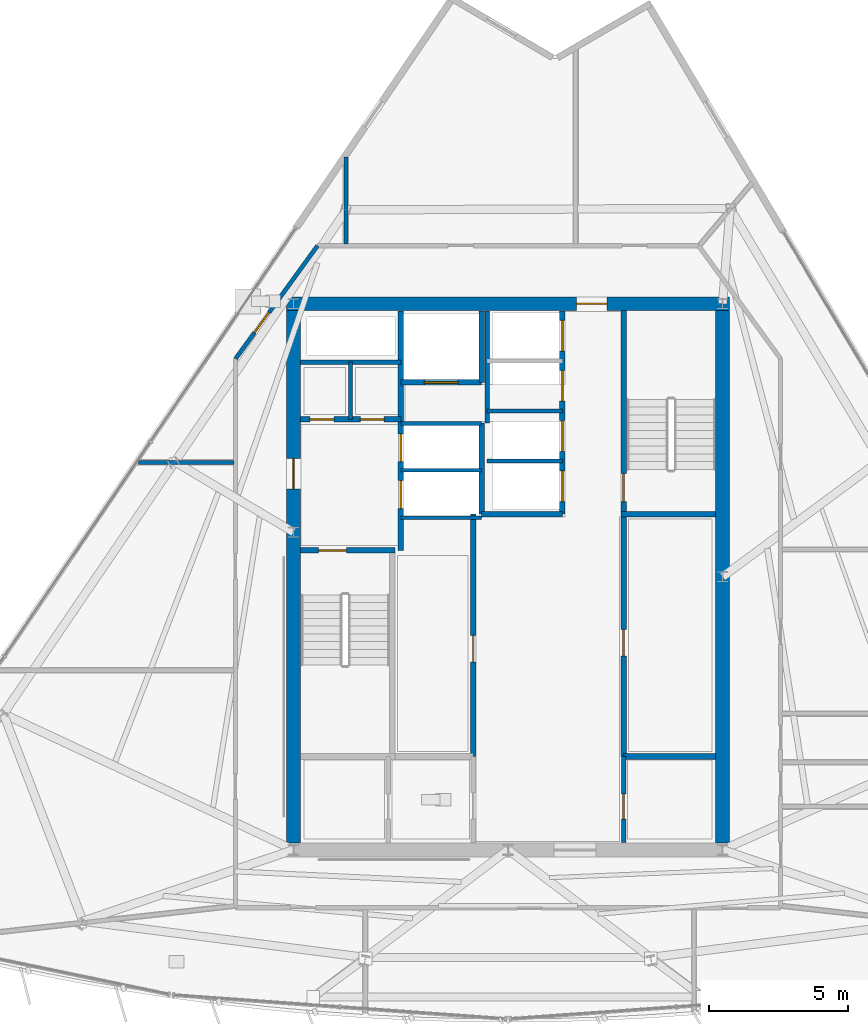
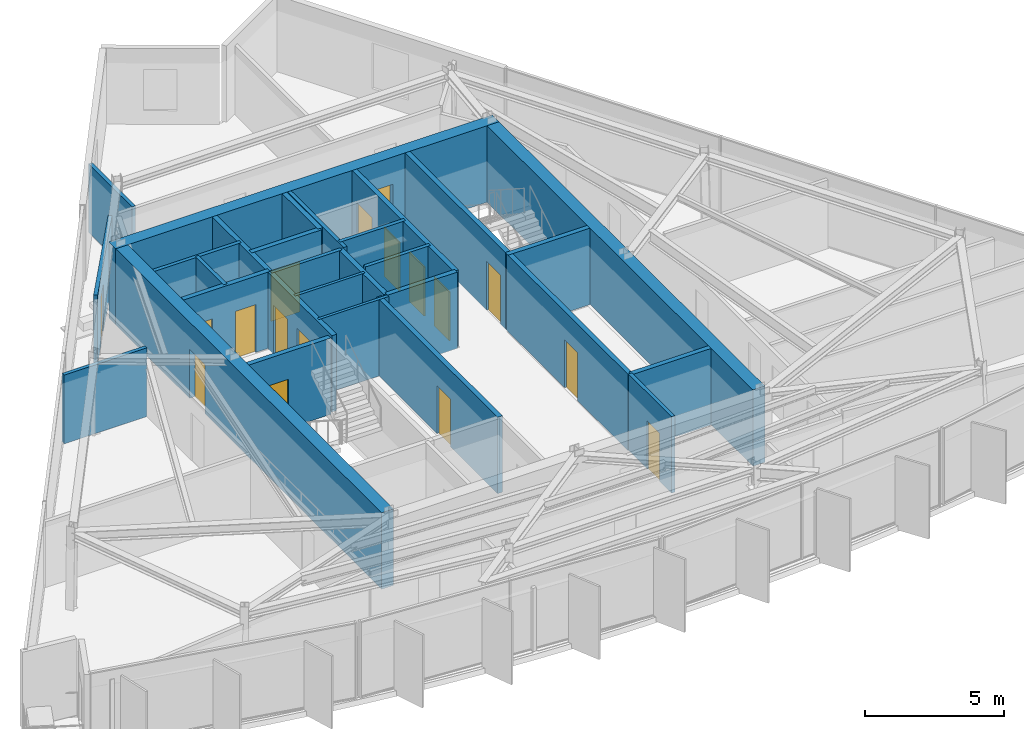
# One storey, part 7 of 12: 28 walls, 17 doors, 17 openings.
"""IFC4 building model written with IfcOpenShell, lengths in metres."""

from ifc_helpers import new_model, si_unit, direction, frame, frame_2d, origin, place, context, subcontext, project, spatial, rectangle, extrude, material, layer, layer_set, type_object, element, fill, save


model = new_model("IFC4")

# Units and contexts
model_context = context("Model", 3, precision=1e-05, world=origin(), true_north=direction((0.0, 1.0)))
body_context = subcontext(model_context, "Body", "Model", "MODEL_VIEW")
ifc_project = project(units=[si_unit("LENGTHUNIT", "METRE"), si_unit("AREAUNIT", "SQUARE_METRE"), si_unit("VOLUMEUNIT", "CUBIC_METRE"), si_unit("PLANEANGLEUNIT", "RADIAN"), si_unit("MASSUNIT", "GRAM", prefix="KILO")], contexts=[model_context])

# Site, building, storey
site_placement = place(None, origin())
site = spatial("IfcSite", under=ifc_project, at=site_placement, CompositionType="ELEMENT")
building_placement = place(site_placement, origin())
building = spatial("IfcBuilding", under=site, at=building_placement, Name="Savorim Split Tower", CompositionType="ELEMENT")
storey_placement = place(building_placement, frame((0.0, 0.0, 279.60009765625)))
storey = spatial("IfcBuildingStorey", under=building, at=storey_placement, Name="L74", CompositionType="ELEMENT", Elevation=279.60009765625)

# Wall, opening, door
ifc_material_1 = material(Name="Concrete C60/75", Category="concrete")
ifc_layer_1 = layer(ifc_material_1, 0.5)
ifc_layer_set_1 = layer_set([ifc_layer_1], Name="WAL-COR-SH500")
wall_type_1 = type_object("IfcWallType", Name="WAL-COR-SH500", PredefinedType="SHEAR", material=ifc_layer_set_1)
wall_1_placement = place(storey_placement, frame((7.949951171875, 10.199951171875, 0.0), z_axis=(0.0, 0.0, 1.0), x_axis=(-1.0, 0.0, 0.0)))
wall_1 = element("IfcWall", 1, at=wall_1_placement, inside=storey, type_object=wall_type_1, Name="L74 Offset Core North Shear Wall", PredefinedType="SHEAR", context=body_context, shape_type="SweptSolid", body=[
    extrude(rectangle(XDim=15.89990234375, YDim=0.5, at=frame_2d((7.949951171875, 0.0))), origin(), (0.0, 0.0, 1.0), 3.349853515625),
])
opening_1_placement = place(wall_1_placement, frame((4.39990234375, 0.0, 0.0)))
opening_1 = element("IfcOpeningElement", 2, at=opening_1_placement, cuts=wall_1, Name="Opening DI-03", PredefinedType="OPENING", context=body_context, shape_type="SweptSolid", body=[
    extrude(rectangle(XDim=1.10009765625, YDim=2.14990234375, at=frame_2d((0.550048828125, 1.074951171875))), frame((0.0, 0.260009765625, 0.0), z_axis=(0.0, -1.0, 0.0), x_axis=(1.0, 0.0, 0.0)), (0.0, 0.0, 1.0), 0.52001953125),
])
ifc_material_2 = material(Name="Timber Fire Door Leaf", Category="wood")
door_type_1 = type_object("IfcDoorType", Name="DOR-FIR-1100", OperationType="NOTDEFINED", PredefinedType="DOOR", material=ifc_material_2)
door_1_placement = place(opening_1_placement, origin())
door_1 = element("IfcDoor", 3, at=door_1_placement, inside=storey, type_object=door_type_1, Name="DOR-L74-COR-NLOB - L74 North Corridor Lobby Fire Door", OperationType="SINGLE_SWING_LEFT", OverallHeight=2.14990234375, OverallWidth=1.10009765625, PredefinedType="DOOR", context=body_context, shape_type="SweptSolid", body=[
    extrude(rectangle(XDim=1.10009765625, YDim=2.14990234375, at=frame_2d((0.550048828125, 1.074951171875))), frame((0.0, 0.02490234375, 0.0), z_axis=(0.0, -1.0, 0.0), x_axis=(1.0, 0.0, 0.0)), (0.0, 0.0, 1.0), 0.050048828125),
])
fill(opening_1, door_1)

wall_2_placement = place(storey_placement, frame((-7.699951171875, -9.14990234375, 0.0), z_axis=(0.0, 0.0, 1.0), x_axis=(0.0, 1.0, 0.0)))
wall_2 = element("IfcWall", 4, at=wall_2_placement, inside=storey, type_object=wall_type_1, Name="L74 Offset Core West Shear Wall", PredefinedType="SHEAR", context=body_context, shape_type="SweptSolid", body=[
    extrude(rectangle(XDim=19.099853515625, YDim=0.5, at=frame_2d((9.5498046875, 0.0))), origin(), (0.0, 0.0, 1.0), 3.349853515625),
])
opening_2_placement = place(wall_2_placement, frame((12.699951171875, 0.0, 0.0)))
opening_2 = element("IfcOpeningElement", 5, at=opening_2_placement, cuts=wall_2, Name="Opening DI-03", PredefinedType="OPENING", context=body_context, shape_type="SweptSolid", body=[
    extrude(rectangle(XDim=1.10009765625, YDim=2.14990234375, at=frame_2d((0.550048828125, 1.074951171875))), frame((0.0, 0.260009765625, 0.0), z_axis=(0.0, -1.0, 0.0), x_axis=(1.0, 0.0, 0.0)), (0.0, 0.0, 1.0), 0.52001953125),
])
door_2_placement = place(opening_2_placement, origin())
door_2 = element("IfcDoor", 6, at=door_2_placement, inside=storey, type_object=door_type_1, Name="DOR-L74-COR-FFLOB - L74 Firefighting Lobby Corridor Door", OperationType="SINGLE_SWING_RIGHT", OverallHeight=2.14990234375, OverallWidth=1.10009765625, PredefinedType="DOOR", context=body_context, shape_type="SweptSolid", body=[
    extrude(rectangle(XDim=1.10009765625, YDim=2.14990234375, at=frame_2d((0.550048828125, 1.074951171875))), frame((0.0, 0.02490234375, 0.0), z_axis=(0.0, -1.0, 0.0), x_axis=(1.0, 0.0, 0.0)), (0.0, 0.0, 1.0), 0.050048828125),
])
fill(opening_2, door_2)

# Wall
wall_3_placement = place(storey_placement, frame((7.699951171875, 9.949951171875, 0.0), z_axis=(0.0, 0.0, 1.0), x_axis=(0.0, -1.0, 0.0)))
element("IfcWall", 7, at=wall_3_placement, inside=storey, type_object=wall_type_1, Name="L74 Offset Core East Shear Wall", PredefinedType="SHEAR", context=body_context, shape_type="SweptSolid", body=[
    extrude(rectangle(XDim=19.099853515625, YDim=0.5, at=frame_2d((9.5498046875, 0.0))), origin(), (0.0, 0.0, 1.0), 3.349853515625),
])

# Wall, opening, door
ifc_material_3 = material(Name="Concrete C50/60", Category="concrete")
ifc_layer_2 = layer(ifc_material_3, 0.199951171875)
ifc_layer_set_2 = layer_set([ifc_layer_2], Name="WAL-INT-RC200")
wall_type_2 = type_object("IfcWallType", Name="WAL-INT-RC200", PredefinedType="SOLIDWALL", material=ifc_layer_set_2)
wall_4_placement = place(storey_placement, frame((-7.449951171875, 1.35009765625, 0.0), z_axis=(0.0, 0.0, 1.0), x_axis=(1.0, 0.0, 0.0)))
wall_4 = element("IfcWall", 8, at=wall_4_placement, inside=storey, type_object=wall_type_2, Name="L74 Structural Shaft Wall W-L74-CR01", PredefinedType="SOLIDWALL", context=body_context, shape_type="SweptSolid", body=[
    extrude(rectangle(XDim=3.39990234375, YDim=0.199951171875, at=frame_2d((1.699951171875, 0.0))), origin(), (0.0, 0.0, 1.0), 3.349853515625),
])
opening_3_placement = place(wall_4_placement, frame((0.64990234375, 0.0, 0.0)))
opening_3 = element("IfcOpeningElement", 9, at=opening_3_placement, cuts=wall_4, Name="Opening DI-04", PredefinedType="OPENING", context=body_context, shape_type="SweptSolid", body=[
    extrude(rectangle(XDim=1.0, YDim=2.14990234375, at=frame_2d((0.5, 1.074951171875))), frame((0.0, 0.10986328125, 0.0), z_axis=(0.0, -1.0, 0.0), x_axis=(1.0, 0.0, 0.0)), (0.0, 0.0, 1.0), 0.219970703125),
])
door_type_2 = type_object("IfcDoorType", Name="DOR-FIR-1000", OperationType="NOTDEFINED", PredefinedType="DOOR", material=ifc_material_2)
door_3_placement = place(opening_3_placement, origin())
door_3 = element("IfcDoor", 10, at=door_3_placement, inside=storey, type_object=door_type_2, Name="DR-L74-ST1 - L74 Stair ST-1 Enclosure Door", OperationType="SINGLE_SWING_LEFT", OverallHeight=2.14990234375, OverallWidth=1.0, PredefinedType="DOOR", context=body_context, shape_type="SweptSolid", body=[
    extrude(rectangle(XDim=1.0, YDim=2.14990234375, at=frame_2d((0.5, 1.074951171875))), frame((0.0, 0.02490234375, 0.0), z_axis=(0.0, -1.0, 0.0), x_axis=(1.0, 0.0, 0.0)), (0.0, 0.0, 1.0), 0.050048828125),
])
fill(opening_3, door_3)

# Wall, openings, doors
wall_5_placement = place(storey_placement, frame((-3.85009765625, 1.35009765625, 0.0), z_axis=(0.0, 0.0, 1.0), x_axis=(0.0, 1.0, 0.0)))
wall_5 = element("IfcWall", 11, at=wall_5_placement, inside=storey, type_object=wall_type_2, Name="L74 Partition W-L74-CR03", PredefinedType="SOLIDWALL", context=body_context, shape_type="SweptSolid", body=[
    extrude(rectangle(XDim=8.594970703125, YDim=0.199951171875, at=frame_2d((4.29736328125, 0.0))), origin(), (0.0, 0.0, 1.0), 3.349853515625),
])
opening_4_placement = place(wall_5_placement, frame((1.5, 0.0, 0.0)))
opening_4 = element("IfcOpeningElement", 12, at=opening_4_placement, cuts=wall_5, Name="Opening LD-FFL", PredefinedType="OPENING", context=body_context, shape_type="SweptSolid", body=[
    extrude(rectangle(XDim=1.0, YDim=2.14990234375, at=frame_2d((0.5, 1.074951171875))), frame((0.0, 0.10986328125, 0.0), z_axis=(0.0, -1.0, 0.0), x_axis=(1.0, 0.0, 0.0)), (0.0, 0.0, 1.0), 0.219970703125),
])
opening_5_placement = place(wall_5_placement, frame((3.179931640625, 0.0, 0.0)))
opening_5 = element("IfcOpeningElement", 13, at=opening_5_placement, cuts=wall_5, Name="Opening LD-FFL", PredefinedType="OPENING", context=body_context, shape_type="SweptSolid", body=[
    extrude(rectangle(XDim=1.0, YDim=2.14990234375, at=frame_2d((0.5, 1.074951171875))), frame((0.0, 0.10986328125, 0.0), z_axis=(0.0, -1.0, 0.0), x_axis=(1.0, 0.0, 0.0)), (0.0, 0.0, 1.0), 0.219970703125),
])
ifc_material_4 = material(Name="Charcoal Anodised Aluminium", Category="aluminium")
door_type_3 = type_object("IfcDoorType", Name="DOR-SLD-LD1000", OperationType="NOTDEFINED", PredefinedType="DOOR", material=ifc_material_4)
door_4_placement = place(opening_4_placement, origin())
door_4 = element("IfcDoor", 14, at=door_4_placement, inside=storey, type_object=door_type_3, Name="DR-L74-LD-FFL1 - L74 Firefighting Lift FFL-1 Sliding Landing Door", OperationType="DOUBLE_DOOR_SLIDING", OverallHeight=2.14990234375, OverallWidth=1.0, PredefinedType="DOOR", context=body_context, shape_type="SweptSolid", body=[
    extrude(rectangle(XDim=1.0, YDim=2.14990234375, at=frame_2d((0.5, 1.074951171875))), frame((0.0, 0.02490234375, 0.0), z_axis=(0.0, -1.0, 0.0), x_axis=(1.0, 0.0, 0.0)), (0.0, 0.0, 1.0), 0.050048828125),
])
fill(opening_4, door_4)
door_5_placement = place(opening_5_placement, origin())
door_5 = element("IfcDoor", 15, at=door_5_placement, inside=storey, type_object=door_type_3, Name="DR-L74-LD-FFL2 - L74 Firefighting Lift FFL-2 Sliding Landing Door", OperationType="DOUBLE_DOOR_SLIDING", OverallHeight=2.14990234375, OverallWidth=1.0, PredefinedType="DOOR", context=body_context, shape_type="SweptSolid", body=[
    extrude(rectangle(XDim=1.0, YDim=2.14990234375, at=frame_2d((0.5, 1.074951171875))), frame((0.0, 0.02490234375, 0.0), z_axis=(0.0, -1.0, 0.0), x_axis=(1.0, 0.0, 0.0)), (0.0, 0.0, 1.0), 0.050048828125),
])
fill(opening_5, door_5)

wall_6_placement = place(storey_placement, frame((-7.445068359375, 6.050048828125, 0.0), z_axis=(0.0, 0.0, 1.0), x_axis=(1.0, 0.0, 0.0)))
wall_6 = element("IfcWall", 16, at=wall_6_placement, inside=storey, type_object=wall_type_2, Name="L74 Partition W-L74-CR04", PredefinedType="SOLIDWALL", context=body_context, shape_type="SweptSolid", body=[
    extrude(rectangle(XDim=3.594970703125, YDim=0.199951171875, at=frame_2d((1.79736328125, 0.0))), origin(), (0.0, 0.0, 1.0), 3.349853515625),
])
opening_6_placement = place(wall_6_placement, frame((0.344970703125, 0.0, 0.0)))
opening_6 = element("IfcOpeningElement", 17, at=opening_6_placement, cuts=wall_6, Name="Opening DI-12", PredefinedType="OPENING", context=body_context, shape_type="SweptSolid", body=[
    extrude(rectangle(XDim=0.85009765625, YDim=2.10009765625, at=frame_2d((0.425048828125, 1.050048828125))), frame((0.0, 0.10986328125, 0.0), z_axis=(0.0, -1.0, 0.0), x_axis=(1.0, 0.0, 0.0)), (0.0, 0.0, 1.0), 0.219970703125),
])
opening_7_placement = place(wall_6_placement, frame((2.14501953125, 0.0, 0.0)))
opening_7 = element("IfcOpeningElement", 18, at=opening_7_placement, cuts=wall_6, Name="Opening DI-12", PredefinedType="OPENING", context=body_context, shape_type="SweptSolid", body=[
    extrude(rectangle(XDim=0.85009765625, YDim=2.10009765625, at=frame_2d((0.425048828125, 1.050048828125))), frame((0.0, 0.10986328125, 0.0), z_axis=(0.0, -1.0, 0.0), x_axis=(1.0, 0.0, 0.0)), (0.0, 0.0, 1.0), 0.219970703125),
])
ifc_material_5 = material(Name="Galvanised Painted Steel Balustrade", Category="steel")
door_type_4 = type_object("IfcDoorType", Name="DOR-RIS-850", OperationType="NOTDEFINED", PredefinedType="DOOR", material=ifc_material_5)
door_6_placement = place(opening_6_placement, origin())
door_6 = element("IfcDoor", 19, at=door_6_placement, inside=storey, type_object=door_type_4, Name="DR-L74-ELR - L74 Electrical Riser Access Door", OperationType="SINGLE_SWING_RIGHT", OverallHeight=2.10009765625, OverallWidth=0.85009765625, PredefinedType="DOOR", context=body_context, shape_type="SweptSolid", body=[
    extrude(rectangle(XDim=0.85009765625, YDim=2.10009765625, at=frame_2d((0.425048828125, 1.050048828125))), frame((0.0, 0.02490234375, 0.0), z_axis=(0.0, -1.0, 0.0), x_axis=(1.0, 0.0, 0.0)), (0.0, 0.0, 1.0), 0.050048828125),
])
fill(opening_6, door_6)
door_7_placement = place(opening_7_placement, origin())
door_7 = element("IfcDoor", 20, at=door_7_placement, inside=storey, type_object=door_type_4, Name="DR-L74-TLR - L74 Telecom Riser Access Door", OperationType="SINGLE_SWING_LEFT", OverallHeight=2.10009765625, OverallWidth=0.85009765625, PredefinedType="DOOR", context=body_context, shape_type="SweptSolid", body=[
    extrude(rectangle(XDim=0.85009765625, YDim=2.10009765625, at=frame_2d((0.425048828125, 1.050048828125))), frame((0.0, 0.02490234375, 0.0), z_axis=(0.0, -1.0, 0.0), x_axis=(1.0, 0.0, 0.0)), (0.0, 0.0, 1.0), 0.050048828125),
])
fill(opening_7, door_7)

# Wall, opening, door
wall_7_placement = place(storey_placement, frame((4.14990234375, 2.75, 0.0), z_axis=(0.0, 0.0, 1.0), x_axis=(0.0, 1.0, 0.0)))
wall_7 = element("IfcWall", 21, at=wall_7_placement, inside=storey, type_object=wall_type_2, Name="L74 Structural Shaft Wall W-L74-CR07", PredefinedType="SOLIDWALL", context=body_context, shape_type="SweptSolid", body=[
    extrude(rectangle(XDim=7.199951171875, YDim=0.199951171875, at=frame_2d((3.60009765625, 0.0))), origin(), (0.0, 0.0, 1.0), 3.349853515625),
])
opening_8_placement = place(wall_7_placement, frame((0.35009765625, 0.0, 0.0)))
opening_8 = element("IfcOpeningElement", 22, at=opening_8_placement, cuts=wall_7, Name="Opening DI-04", PredefinedType="OPENING", context=body_context, shape_type="SweptSolid", body=[
    extrude(rectangle(XDim=1.0, YDim=2.14990234375, at=frame_2d((0.5, 1.074951171875))), frame((0.0, 0.10986328125, 0.0), z_axis=(0.0, -1.0, 0.0), x_axis=(1.0, 0.0, 0.0)), (0.0, 0.0, 1.0), 0.219970703125),
])
door_8_placement = place(opening_8_placement, origin())
door_8 = element("IfcDoor", 23, at=door_8_placement, inside=storey, type_object=door_type_2, Name="DR-L74-ST2 - L74 Stair ST-2 Enclosure Door", OperationType="SINGLE_SWING_RIGHT", OverallHeight=2.14990234375, OverallWidth=1.0, PredefinedType="DOOR", context=body_context, shape_type="SweptSolid", body=[
    extrude(rectangle(XDim=1.0, YDim=2.14990234375, at=frame_2d((0.5, 1.074951171875))), frame((0.0, 0.02490234375, 0.0), z_axis=(0.0, -1.0, 0.0), x_axis=(1.0, 0.0, 0.0)), (0.0, 0.0, 1.0), 0.050048828125),
])
fill(opening_8, door_8)

# Walls
wall_8_placement = place(storey_placement, frame((4.050048828125, 2.64990234375, 0.0), z_axis=(0.0, 0.0, 1.0), x_axis=(1.0, 0.0, 0.0)))
element("IfcWall", 24, at=wall_8_placement, inside=storey, type_object=wall_type_2, Name="L74 Structural Shaft Wall W-L74-CR08", PredefinedType="SOLIDWALL", context=body_context, shape_type="SweptSolid", body=[
    extrude(rectangle(XDim=3.39990234375, YDim=0.199951171875, at=frame_2d((1.699951171875, 0.0))), origin(), (0.0, 0.0, 1.0), 3.349853515625),
])
wall_9_placement = place(storey_placement, frame((-0.949951171875, 2.64990234375, 0.0), z_axis=(0.0, 0.0, 1.0), x_axis=(0.0, 1.0, 0.0)))
element("IfcWall", 25, at=wall_9_placement, inside=storey, type_object=wall_type_2, Name="L74 Partition W-L74-FFLW", PredefinedType="SOLIDWALL", context=body_context, shape_type="SweptSolid", body=[
    extrude(rectangle(XDim=3.27001953125, YDim=0.199951171875, at=frame_2d((1.635009765625, 0.0))), origin(), (0.0, 0.0, 1.0), 3.349853515625),
])

# Wall, opening, door
wall_10_placement = place(storey_placement, frame((-3.85009765625, 7.3798828125, 0.0), z_axis=(0.0, 0.0, 1.0), x_axis=(1.0, 0.0, 0.0)))
wall_10 = element("IfcWall", 26, at=wall_10_placement, inside=storey, type_object=wall_type_2, Name="L74 Partition W-L74-SVLS", PredefinedType="SOLIDWALL", context=body_context, shape_type="SweptSolid", body=[
    extrude(rectangle(XDim=2.900146484375, YDim=0.199951171875, at=frame_2d((1.4501953125, 0.0))), origin(), (0.0, 0.0, 1.0), 3.349853515625),
])
opening_9_placement = place(wall_10_placement, frame((0.85009765625, 0.0, 0.0)))
opening_9 = element("IfcOpeningElement", 27, at=opening_9_placement, cuts=wall_10, Name="Opening LD-SV", PredefinedType="OPENING", context=body_context, shape_type="SweptSolid", body=[
    extrude(rectangle(XDim=1.199951171875, YDim=2.199951171875, at=frame_2d((0.60009765625, 1.10009765625))), frame((0.0, 0.10986328125, 0.0), z_axis=(0.0, -1.0, 0.0), x_axis=(1.0, 0.0, 0.0)), (0.0, 0.0, 1.0), 0.219970703125),
])
door_type_5 = type_object("IfcDoorType", Name="DOR-SLD-SV1200", OperationType="NOTDEFINED", PredefinedType="DOOR", material=ifc_material_4)
door_9_placement = place(opening_9_placement, origin())
door_9 = element("IfcDoor", 28, at=door_9_placement, inside=storey, type_object=door_type_5, Name="DR-L74-LD-SVL1 - L74 Service Lift SVL-1 Sliding Landing Door", OperationType="DOUBLE_DOOR_SLIDING", OverallHeight=2.199951171875, OverallWidth=1.199951171875, PredefinedType="DOOR", context=body_context, shape_type="SweptSolid", body=[
    extrude(rectangle(XDim=1.199951171875, YDim=2.199951171875, at=frame_2d((0.60009765625, 1.10009765625))), frame((0.0, 0.02490234375, 0.0), z_axis=(0.0, -1.0, 0.0), x_axis=(1.0, 0.0, 0.0)), (0.0, 0.0, 1.0), 0.050048828125),
])
fill(opening_9, door_9)

# Wall
wall_11_placement = place(storey_placement, frame((-0.949951171875, 7.3798828125, 0.0), z_axis=(0.0, 0.0, 1.0), x_axis=(0.0, 1.0, 0.0)))
element("IfcWall", 29, at=wall_11_placement, inside=storey, type_object=wall_type_2, Name="L74 Partition W-L74-SVLE", PredefinedType="SOLIDWALL", context=body_context, shape_type="SweptSolid", body=[
    extrude(rectangle(XDim=2.565185546875, YDim=0.199951171875, at=frame_2d((1.28271484375, 0.0))), origin(), (0.0, 0.0, 1.0), 3.349853515625),
])

# Wall, opening, door
wall_12_placement = place(storey_placement, frame((4.14990234375, -6.050048828125, 0.0), z_axis=(0.0, 0.0, 1.0), x_axis=(0.0, 1.0, 0.0)))
wall_12 = element("IfcWall", 30, at=wall_12_placement, inside=storey, type_object=wall_type_2, Name="L74 Partition W-L74-B1FRONT", PredefinedType="SOLIDWALL", context=body_context, shape_type="SweptSolid", body=[
    extrude(rectangle(XDim=8.699951171875, YDim=0.199951171875, at=frame_2d((4.35009765625, 0.0))), origin(), (0.0, 0.0, 1.0), 3.349853515625),
])
opening_10_placement = place(wall_12_placement, frame((3.60009765625, 0.0, 0.0)))
opening_10 = element("IfcOpeningElement", 31, at=opening_10_placement, cuts=wall_12, Name="Opening DI-05", PredefinedType="OPENING", context=body_context, shape_type="SweptSolid", body=[
    extrude(rectangle(XDim=0.949951171875, YDim=2.10009765625, at=frame_2d((0.47509765625, 1.050048828125))), frame((0.0, 0.10986328125, 0.0), z_axis=(0.0, -1.0, 0.0), x_axis=(1.0, 0.0, 0.0)), (0.0, 0.0, 1.0), 0.219970703125),
])
door_type_6 = type_object("IfcDoorType", Name="DOR-FIR-950", OperationType="NOTDEFINED", PredefinedType="DOOR", material=ifc_material_2)
door_10_placement = place(opening_10_placement, origin())
door_10 = element("IfcDoor", 32, at=door_10_placement, inside=storey, type_object=door_type_6, Name="DR-L74-LV7B1 - L74 Shared Pantry and Linen Room Door", OperationType="SINGLE_SWING_RIGHT", OverallHeight=2.10009765625, OverallWidth=0.949951171875, PredefinedType="DOOR", context=body_context, shape_type="SweptSolid", body=[
    extrude(rectangle(XDim=0.949951171875, YDim=2.10009765625, at=frame_2d((0.47509765625, 1.050048828125))), frame((0.0, 0.02490234375, 0.0), z_axis=(0.0, -1.0, 0.0), x_axis=(1.0, 0.0, 0.0)), (0.0, 0.0, 1.0), 0.050048828125),
])
fill(opening_10, door_10)

wall_13_placement = place(storey_placement, frame((-1.25, -6.050048828125, 0.0), z_axis=(0.0, 0.0, 1.0), x_axis=(0.0, 1.0, 0.0)))
wall_13 = element("IfcWall", 33, at=wall_13_placement, inside=storey, type_object=wall_type_2, Name="L74 Partition W-L74-B2FRONT", PredefinedType="SOLIDWALL", context=body_context, shape_type="SweptSolid", body=[
    extrude(rectangle(XDim=8.699951171875, YDim=0.199951171875, at=frame_2d((4.35009765625, 0.0))), origin(), (0.0, 0.0, 1.0), 3.349853515625),
])
opening_11_placement = place(wall_13_placement, frame((3.39990234375, 0.0, 0.0)))
opening_11 = element("IfcOpeningElement", 34, at=opening_11_placement, cuts=wall_13, Name="Opening DI-05", PredefinedType="OPENING", context=body_context, shape_type="SweptSolid", body=[
    extrude(rectangle(XDim=0.949951171875, YDim=2.10009765625, at=frame_2d((0.47509765625, 1.050048828125))), frame((0.0, 0.10986328125, 0.0), z_axis=(0.0, -1.0, 0.0), x_axis=(1.0, 0.0, 0.0)), (0.0, 0.0, 1.0), 0.219970703125),
])
door_11_placement = place(opening_11_placement, origin())
door_11 = element("IfcDoor", 35, at=door_11_placement, inside=storey, type_object=door_type_6, Name="DR-L74-LV7B2 - L74 Housekeeping and Parcel Room Door", OperationType="SINGLE_SWING_LEFT", OverallHeight=2.10009765625, OverallWidth=0.949951171875, PredefinedType="DOOR", context=body_context, shape_type="SweptSolid", body=[
    extrude(rectangle(XDim=0.949951171875, YDim=2.10009765625, at=frame_2d((0.47509765625, 1.050048828125))), frame((0.0, 0.02490234375, 0.0), z_axis=(0.0, -1.0, 0.0), x_axis=(1.0, 0.0, 0.0)), (0.0, 0.0, 1.0), 0.050048828125),
])
fill(opening_11, door_11)

# Wall, openings, doors
wall_14_placement = place(storey_placement, frame((1.949951171875, 2.64990234375, 0.0), z_axis=(0.0, 0.0, 1.0), x_axis=(0.0, 1.0, 0.0)))
wall_14 = element("IfcWall", 36, at=wall_14_placement, inside=storey, type_object=wall_type_2, Name="L74 Partition W-L74-B3FRONT", PredefinedType="SOLIDWALL", context=body_context, shape_type="SweptSolid", body=[
    extrude(rectangle(XDim=7.295166015625, YDim=0.199951171875, at=frame_2d((3.6474609375, 0.0))), origin(), (0.0, 0.0, 1.0), 3.349853515625),
])
opening_12_placement = place(wall_14_placement, frame((0.449951171875, 0.0, 0.0)))
opening_12 = element("IfcOpeningElement", 37, at=opening_12_placement, cuts=wall_14, Name="Opening LD-03", PredefinedType="OPENING", context=body_context, shape_type="SweptSolid", body=[
    extrude(rectangle(XDim=1.10009765625, YDim=2.14990234375, at=frame_2d((0.550048828125, 1.074951171875))), frame((0.0, 0.10986328125, 0.0), z_axis=(0.0, -1.0, 0.0), x_axis=(1.0, 0.0, 0.0)), (0.0, 0.0, 1.0), 0.219970703125),
])
opening_13_placement = place(wall_14_placement, frame((2.25, 0.0, 0.0)))
opening_13 = element("IfcOpeningElement", 38, at=opening_13_placement, cuts=wall_14, Name="Opening LD-03", PredefinedType="OPENING", context=body_context, shape_type="SweptSolid", body=[
    extrude(rectangle(XDim=1.10009765625, YDim=2.14990234375, at=frame_2d((0.550048828125, 1.074951171875))), frame((0.0, 0.10986328125, 0.0), z_axis=(0.0, -1.0, 0.0), x_axis=(1.0, 0.0, 0.0)), (0.0, 0.0, 1.0), 0.219970703125),
])
opening_14_placement = place(wall_14_placement, frame((4.050048828125, 0.0, 0.0)))
opening_14 = element("IfcOpeningElement", 39, at=opening_14_placement, cuts=wall_14, Name="Opening LD-03", PredefinedType="OPENING", context=body_context, shape_type="SweptSolid", body=[
    extrude(rectangle(XDim=1.10009765625, YDim=2.14990234375, at=frame_2d((0.550048828125, 1.074951171875))), frame((0.0, 0.10986328125, 0.0), z_axis=(0.0, -1.0, 0.0), x_axis=(1.0, 0.0, 0.0)), (0.0, 0.0, 1.0), 0.219970703125),
])
opening_15_placement = place(wall_14_placement, frame((5.85009765625, 0.0, 0.0)))
opening_15 = element("IfcOpeningElement", 40, at=opening_15_placement, cuts=wall_14, Name="Opening LD-03", PredefinedType="OPENING", context=body_context, shape_type="SweptSolid", body=[
    extrude(rectangle(XDim=1.10009765625, YDim=2.14990234375, at=frame_2d((0.550048828125, 1.074951171875))), frame((0.0, 0.10986328125, 0.0), z_axis=(0.0, -1.0, 0.0), x_axis=(1.0, 0.0, 0.0)), (0.0, 0.0, 1.0), 0.219970703125),
])
door_type_7 = type_object("IfcDoorType", Name="DOR-SLD-LDH1100", OperationType="NOTDEFINED", PredefinedType="DOOR", material=ifc_material_4)
door_12_placement = place(opening_12_placement, origin())
door_12 = element("IfcDoor", 41, at=door_12_placement, inside=storey, type_object=door_type_7, Name="DR-L74-LD-PLH1 - L74 Lift PL-H1 Sliding Landing Door", OperationType="DOUBLE_DOOR_SLIDING", OverallHeight=2.14990234375, OverallWidth=1.10009765625, PredefinedType="DOOR", context=body_context, shape_type="SweptSolid", body=[
    extrude(rectangle(XDim=1.10009765625, YDim=2.14990234375, at=frame_2d((0.550048828125, 1.074951171875))), frame((0.0, 0.02490234375, 0.0), z_axis=(0.0, -1.0, 0.0), x_axis=(1.0, 0.0, 0.0)), (0.0, 0.0, 1.0), 0.050048828125),
])
fill(opening_12, door_12)
door_13_placement = place(opening_13_placement, origin())
door_13 = element("IfcDoor", 42, at=door_13_placement, inside=storey, type_object=door_type_7, Name="DR-L74-LD-PLH2 - L74 Lift PL-H2 Sliding Landing Door", OperationType="DOUBLE_DOOR_SLIDING", OverallHeight=2.14990234375, OverallWidth=1.10009765625, PredefinedType="DOOR", context=body_context, shape_type="SweptSolid", body=[
    extrude(rectangle(XDim=1.10009765625, YDim=2.14990234375, at=frame_2d((0.550048828125, 1.074951171875))), frame((0.0, 0.02490234375, 0.0), z_axis=(0.0, -1.0, 0.0), x_axis=(1.0, 0.0, 0.0)), (0.0, 0.0, 1.0), 0.050048828125),
])
fill(opening_13, door_13)
door_14_placement = place(opening_14_placement, origin())
door_14 = element("IfcDoor", 43, at=door_14_placement, inside=storey, type_object=door_type_7, Name="DR-L74-LD-PLH3 - L74 Lift PL-H3 Sliding Landing Door", OperationType="DOUBLE_DOOR_SLIDING", OverallHeight=2.14990234375, OverallWidth=1.10009765625, PredefinedType="DOOR", context=body_context, shape_type="SweptSolid", body=[
    extrude(rectangle(XDim=1.10009765625, YDim=2.14990234375, at=frame_2d((0.550048828125, 1.074951171875))), frame((0.0, 0.02490234375, 0.0), z_axis=(0.0, -1.0, 0.0), x_axis=(1.0, 0.0, 0.0)), (0.0, 0.0, 1.0), 0.050048828125),
])
fill(opening_14, door_14)
door_15_placement = place(opening_15_placement, origin())
door_15 = element("IfcDoor", 44, at=door_15_placement, inside=storey, type_object=door_type_7, Name="DR-L74-LD-PLH4 - L74 Lift PL-H4 Sliding Landing Door", OperationType="DOUBLE_DOOR_SLIDING", OverallHeight=2.14990234375, OverallWidth=1.10009765625, PredefinedType="DOOR", context=body_context, shape_type="SweptSolid", body=[
    extrude(rectangle(XDim=1.10009765625, YDim=2.14990234375, at=frame_2d((0.550048828125, 1.074951171875))), frame((0.0, 0.02490234375, 0.0), z_axis=(0.0, -1.0, 0.0), x_axis=(1.0, 0.0, 0.0)), (0.0, 0.0, 1.0), 0.050048828125),
])
fill(opening_15, door_15)

# Walls
wall_15_placement = place(storey_placement, frame((-0.949951171875, 2.64990234375, 0.0), z_axis=(0.0, 0.0, 1.0), x_axis=(1.0, 0.0, 0.0)))
element("IfcWall", 45, at=wall_15_placement, inside=storey, type_object=wall_type_2, Name="L74 Partition W-L74-B3SOUTH", PredefinedType="SOLIDWALL", context=body_context, shape_type="SweptSolid", body=[
    extrude(rectangle(XDim=2.89990234375, YDim=0.199951171875, at=frame_2d((1.449951171875, 0.0))), origin(), (0.0, 0.0, 1.0), 3.349853515625),
])
wall_16_placement = place(storey_placement, frame((4.14990234375, -6.050048828125, 0.0), z_axis=(0.0, 0.0, 1.0), x_axis=(1.0, 0.0, 0.0)))
element("IfcWall", 46, at=wall_16_placement, inside=storey, type_object=wall_type_2, Name="L74 Partition W-L74-KSEP-E", PredefinedType="SOLIDWALL", context=body_context, shape_type="SweptSolid", body=[
    extrude(rectangle(XDim=3.295166015625, YDim=0.199951171875, at=frame_2d((1.6474609375, 0.0))), origin(), (0.0, 0.0, 1.0), 3.349853515625),
])
ifc_material_6 = material(Name="Acoustic Gypsum Partition Board")
ifc_layer_3 = layer(ifc_material_6, 0.1201171875)
ifc_layer_set_3 = layer_set([ifc_layer_3], Name="WAL-PAR-120")
wall_type_3 = type_object("IfcWallType", Name="WAL-PAR-120", PredefinedType="PARTITIONING", material=ifc_layer_set_3)
for number, where, z_axis, x_axis, name in (
    (47, (-3.85009765625, 2.52001953125, 0.0), (0.0, 0.0, 1.0), (1.0, 0.0, 0.0), "L74 Partition W-L74-FFLD0"),
    (48, (-3.85009765625, 4.219970703125, 0.0), (0.0, 0.0, 1.0), (1.0, 0.0, 0.0), "L74 Partition W-L74-FFLD1"),
):
    element("IfcWall", number, at=place(storey_placement, frame(where, z_axis=z_axis, x_axis=x_axis)), inside=storey, type_object=wall_type_3, Name=name, PredefinedType="PARTITIONING", context=body_context, shape_type="SweptSolid", body=[
        extrude(rectangle(XDim=2.900146484375, YDim=0.1201171875, at=frame_2d((1.4501953125, 0.0))), origin(), (0.0, 0.0, 1.0), 3.349853515625),
    ])
ifc_layer_4 = layer(ifc_material_6, 0.14990234375)
ifc_layer_set_4 = layer_set([ifc_layer_4], Name="WAL-PAR-150")
wall_type_4 = type_object("IfcWallType", Name="WAL-PAR-150", PredefinedType="PARTITIONING", material=ifc_layer_set_4)
wall_17_placement = place(storey_placement, frame((-7.445068359375, 8.10009765625, 0.0), z_axis=(0.0, 0.0, 1.0), x_axis=(1.0, 0.0, 0.0)))
element("IfcWall", 49, at=wall_17_placement, inside=storey, type_object=wall_type_4, Name="L74 Partition W-L74-CR05", PredefinedType="PARTITIONING", context=body_context, shape_type="SweptSolid", body=[
    extrude(rectangle(XDim=3.594970703125, YDim=0.14990234375, at=frame_2d((1.79736328125, 0.0))), origin(), (0.0, 0.0, 1.0), 3.349853515625),
])
wall_18_placement = place(storey_placement, frame((-5.64990234375, 6.050048828125, 0.0), z_axis=(0.0, 0.0, 1.0), x_axis=(0.0, 1.0, 0.0)))
element("IfcWall", 50, at=wall_18_placement, inside=storey, type_object=wall_type_4, Name="L74 Partition W-L74-CR06", PredefinedType="PARTITIONING", context=body_context, shape_type="SweptSolid", body=[
    extrude(rectangle(XDim=2.050048828125, YDim=0.14990234375, at=frame_2d((1.02490234375, 0.0))), origin(), (0.0, 0.0, 1.0), 3.349853515625),
])
wall_19_placement = place(storey_placement, frame((-3.85009765625, 5.89990234375, 0.0), z_axis=(0.0, 0.0, 1.0), x_axis=(1.0, 0.0, 0.0)))
element("IfcWall", 51, at=wall_19_placement, inside=storey, type_object=wall_type_4, Name="L74 Partition W-L74-FFLD2", PredefinedType="PARTITIONING", context=body_context, shape_type="SweptSolid", body=[
    extrude(rectangle(XDim=2.900146484375, YDim=0.14990234375, at=frame_2d((1.4501953125, 0.0))), origin(), (0.0, 0.0, 1.0), 3.349853515625),
])
wall_20_placement = place(storey_placement, frame((-0.75, 5.919921875, 0.0), z_axis=(0.0, 0.0, 1.0), x_axis=(0.0, 1.0, 0.0)))
element("IfcWall", 52, at=wall_20_placement, inside=storey, type_object=wall_type_4, Name="L74 Partition W-L74-B3WEST", PredefinedType="PARTITIONING", context=body_context, shape_type="SweptSolid", body=[
    extrude(rectangle(XDim=4.025146484375, YDim=0.14990234375, at=frame_2d((2.0126953125, 0.0))), origin(), (0.0, 0.0, 1.0), 3.349853515625),
])
for number, where, z_axis, x_axis, name in (
    (53, (-0.75, 4.550048828125, 0.0), (0.0, 0.0, 1.0), (1.0, 0.0, 0.0), "L74 Partition W-L74-B3DIV1"),
    (54, (-0.75, 6.35009765625, 0.0), (0.0, 0.0, 1.0), (1.0, 0.0, 0.0), "L74 Partition W-L74-B3DIV2"),
):
    element("IfcWall", number, at=place(storey_placement, frame(where, z_axis=z_axis, x_axis=x_axis)), inside=storey, type_object=wall_type_4, Name=name, PredefinedType="PARTITIONING", context=body_context, shape_type="SweptSolid", body=[
        extrude(rectangle(XDim=2.699951171875, YDim=0.14990234375, at=frame_2d((1.35009765625, 0.0))), origin(), (0.0, 0.0, 1.0), 3.349853515625),
    ])

# Wall, opening, door
wall_21_placement = place(storey_placement, frame((4.14990234375, -9.14501953125, 0.0), z_axis=(0.0, 0.0, 1.0), x_axis=(0.0, 1.0, 0.0)))
wall_21 = element("IfcWall", 55, at=wall_21_placement, inside=storey, type_object=wall_type_4, Name="L74 Partition W-L74-KLOB-E", PredefinedType="PARTITIONING", context=body_context, shape_type="SweptSolid", body=[
    extrude(rectangle(XDim=3.094970703125, YDim=0.14990234375, at=frame_2d((1.54736328125, 0.0))), origin(), (0.0, 0.0, 1.0), 3.349853515625),
])
opening_16_placement = place(wall_21_placement, frame((0.844970703125, 0.0, 0.0)))
opening_16 = element("IfcOpeningElement", 56, at=opening_16_placement, cuts=wall_21, Name="Opening DI-06", PredefinedType="OPENING", context=body_context, shape_type="SweptSolid", body=[
    extrude(rectangle(XDim=0.89990234375, YDim=2.10009765625, at=frame_2d((0.449951171875, 1.050048828125))), frame((0.0, 0.0849609375, 0.0), z_axis=(0.0, -1.0, 0.0), x_axis=(1.0, 0.0, 0.0)), (0.0, 0.0, 1.0), 0.169921875),
])
door_type_8 = type_object("IfcDoorType", Name="DOR-FIR-900", OperationType="NOTDEFINED", PredefinedType="DOOR", material=ifc_material_2)
door_16_placement = place(opening_16_placement, origin())
door_16 = element("IfcDoor", 57, at=door_16_placement, inside=storey, type_object=door_type_8, Name="DR-L74-K1IT - L74 Core IT Room Door", OperationType="SINGLE_SWING_LEFT", OverallHeight=2.10009765625, OverallWidth=0.89990234375, PredefinedType="DOOR", context=body_context, shape_type="SweptSolid", body=[
    extrude(rectangle(XDim=0.89990234375, YDim=2.10009765625, at=frame_2d((0.449951171875, 1.050048828125))), frame((0.0, 0.02490234375, 0.0), z_axis=(0.0, -1.0, 0.0), x_axis=(1.0, 0.0, 0.0)), (0.0, 0.0, 1.0), 0.050048828125),
])
fill(opening_16, door_16)

wall_22_placement = place(storey_placement, frame((-9.780029296875, 8.225830078125, 0.0), z_axis=(0.0, 0.0, 1.0), x_axis=(0.586956386413, 0.809618552436, 0.0)))
wall_22 = element("IfcWall", 58, at=wall_22_placement, inside=storey, type_object=wall_type_4, Name="L74 Partition W-L74-COR-02", PredefinedType="PARTITIONING", context=body_context, shape_type="SweptSolid", body=[
    extrude(rectangle(XDim=5.007568359375, YDim=0.14990234375, at=frame_2d((2.50390625, 0.0))), origin(), (0.0, 0.0, 1.0), 3.014892578125),
])
opening_17_placement = place(wall_22_placement, frame((1.15380859375, 0.0, 0.0)))
opening_17 = element("IfcOpeningElement", 59, at=opening_17_placement, cuts=wall_22, Name="Opening DI-11", PredefinedType="OPENING", context=body_context, shape_type="SweptSolid", body=[
    extrude(rectangle(XDim=0.89990234375, YDim=2.10009765625, at=frame_2d((0.449951171875, 1.050048828125))), frame((0.0, 0.0849609375, 0.0), z_axis=(0.0, -1.0, 0.0), x_axis=(1.0, 0.0, 0.0)), (0.0, 0.0, 1.0), 0.169921875),
])
ifc_material_7 = material(Name="Oak Veneer Acoustic Door")
door_type_9 = type_object("IfcDoorType", Name="DOR-WC-900", OperationType="NOTDEFINED", PredefinedType="DOOR", material=ifc_material_7)
door_17_placement = place(opening_17_placement, origin())
door_17 = element("IfcDoor", 60, at=door_17_placement, inside=storey, type_object=door_type_9, Name="DR-L74-RM13 - L74 Shared Bathroom Entry Door", OperationType="SINGLE_SWING_RIGHT", OverallHeight=2.10009765625, OverallWidth=0.89990234375, PredefinedType="DOOR", context=body_context, shape_type="SweptSolid", body=[
    extrude(rectangle(XDim=0.89990234375, YDim=2.10009765625, at=frame_2d((0.449951171875, 1.050048828125))), frame((0.0, 0.02490234375, 0.0), z_axis=(0.0, -1.0, 0.0), x_axis=(1.0, 0.0, 0.0)), (0.0, 0.0, 1.0), 0.050048828125),
])
fill(opening_17, door_17)

# Walls
wall_23_placement = place(storey_placement, frame((-5.82080078125, 12.340087890625, 0.0), z_axis=(0.0, 0.0, 1.0), x_axis=(0.0, 1.0, 0.0)))
element("IfcWall", 61, at=wall_23_placement, inside=storey, type_object=wall_type_4, Name="L74 Partition W-L74-PRAD08", PredefinedType="PARTITIONING", context=body_context, shape_type="SweptSolid", body=[
    extrude(rectangle(XDim=3.12109375, YDim=0.14990234375, at=frame_2d((1.560546875, 0.0))), origin(), (0.0, 0.0, 1.0), 3.014892578125),
])
wall_24_placement = place(storey_placement, frame((-9.840087890625, 4.5068359375, 0.0), z_axis=(0.0, 0.0, 1.0), x_axis=(-1.0, 0.0, 0.0)))
element("IfcWall", 62, at=wall_24_placement, inside=storey, type_object=wall_type_4, Name="L74 Partition W-L74-PRAD09", PredefinedType="PARTITIONING", context=body_context, shape_type="SweptSolid", body=[
    extrude(rectangle(XDim=3.4326171875, YDim=0.14990234375, at=frame_2d((1.71630859375, 0.0))), origin(), (0.0, 0.0, 1.0), 3.014892578125),
])

save(model, "model.ifc")
